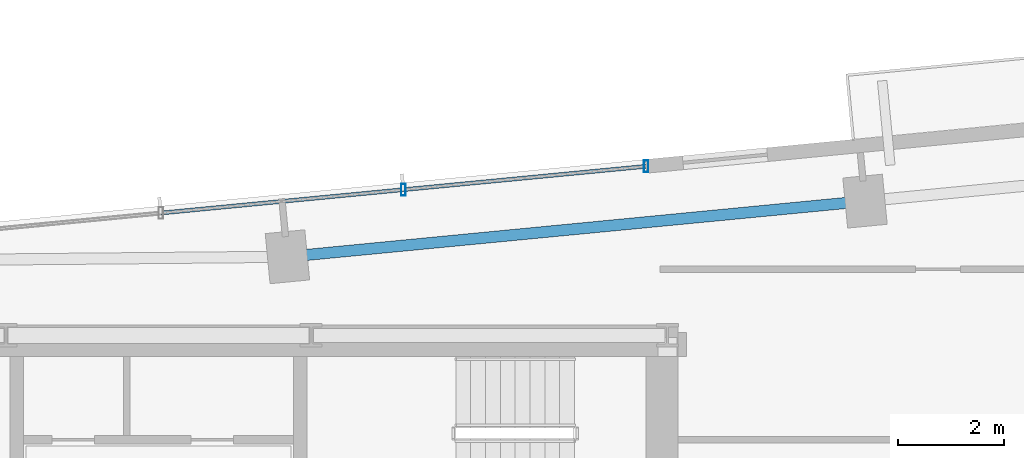
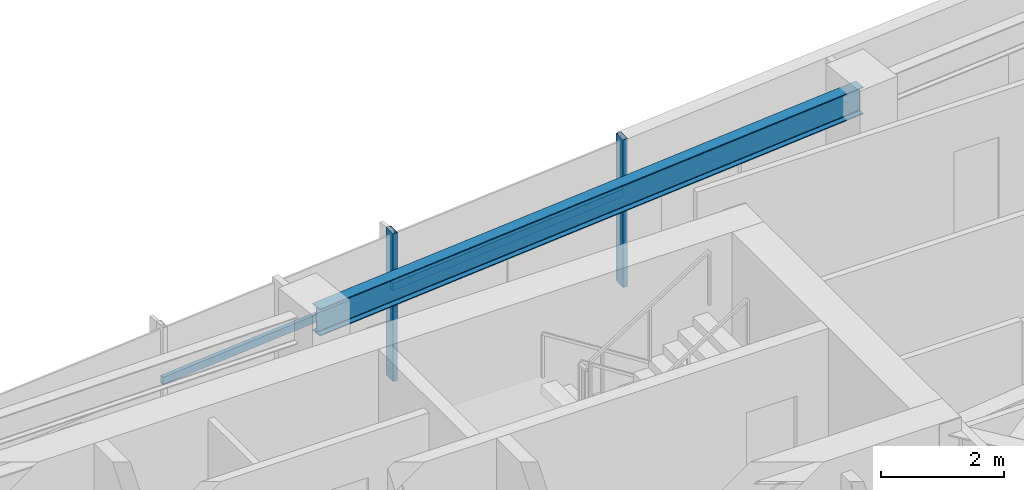
# One storey, part 7 of 18: 4 members, 1 beam, 1 element without a shape of its own.
"""IFC4 building model written with IfcOpenShell, lengths in metres."""

from ifc_helpers import new_model, si_unit, direction, frame, origin, origin_2d, place, context, subcontext, project, spatial, hollow_rectangle, i_section, extrude, source, transform, mapped, material, material_profile, profile_set, type_object, type_shapes, element, aggregate, save


model = new_model("IFC4")

# Units and contexts
model_context = context("Model", 3, precision=1e-05, world=origin(), true_north=direction((0.0, 1.0)))
body_context = subcontext(model_context, "Body", "Model", "MODEL_VIEW")
ifc_project = project(units=[si_unit("LENGTHUNIT", "METRE"), si_unit("AREAUNIT", "SQUARE_METRE"), si_unit("VOLUMEUNIT", "CUBIC_METRE"), si_unit("PLANEANGLEUNIT", "RADIAN"), si_unit("MASSUNIT", "GRAM", prefix="KILO")], contexts=[model_context])

# Site, building, storey
site_placement = place(None, origin())
site = spatial("IfcSite", under=ifc_project, at=site_placement, CompositionType="ELEMENT")
building_placement = place(site_placement, origin())
building = spatial("IfcBuilding", under=site, at=building_placement, Name="Astriad Promenade Condominiums", CompositionType="ELEMENT")
storey_placement = place(building_placement, frame((0.0, 0.0, 182.60009765625)))
storey = spatial("IfcBuildingStorey", under=building, at=storey_placement, Name="L52", CompositionType="ELEMENT", Elevation=182.60009765625)

# Beam
ifc_material_1 = material(Name="Steel ASTM A992 Grade 50", Category="steel")
ifc_material_profile_1 = material_profile(ifc_material_1, i_section(OverallWidth=0.210693359375, OverallDepth=0.53955078125, WebThickness=0.01171875, FlangeThickness=0.018798828125, FilletRadius=0.0166015625, at=origin_2d()), Name="W21X73")
ifc_profile_set_1 = profile_set([ifc_material_profile_1], Name="Steel ASTM A992 Grade 50")
beam_type = type_object("IfcBeamType", Name="STEEL SPANDREL BEAM W21X73", PredefinedType="SPANDREL", material=ifc_profile_set_1)
shared_shape_1 = source(origin(), body_context, "Body", "SweptSolid", [
    extrude(i_section(OverallWidth=0.210693359375, OverallDepth=0.53955078125, WebThickness=0.01171875, FlangeThickness=0.018798828125, FilletRadius=0.0166015625, at=origin_2d()), origin(), (0.0, 0.0, 1.0), 10.869873046875),
])
type_shapes(beam_type, [shared_shape_1])
beam_placement = place(storey_placement, frame((49.291015625, 26.52880859375, 2.670166015625), z_axis=(-0.995394779798, -0.09586048378, 0.0), x_axis=(0.09586048378, -0.995394779798, 0.0)))
element("IfcBeam", 1, at=beam_placement, inside=storey, type_object=beam_type, Name="Perimeter Spandrel Beam SP-N3-L52", PredefinedType="SPANDREL", context=body_context, shape_type="MappedRepresentation", body=[
    mapped(shared_shape_1, transform((0.0, 0.0, 0.0), scale=1.0)),
])

# Curtain wall, members
ifc_material_2 = material(Name="Anodised aluminium Black Dark Glass Unitised", Category="aluminium")
curtain_wall_type = type_object("IfcCurtainWallType", Name="CW-B34-DARK", PredefinedType="USERDEFINED", material=ifc_material_2)
curtain_wall_placement = place(storey_placement, origin())
curtain_wall = element("IfcCurtainWall", 2, at=curtain_wall_placement, inside=storey, type_object=curtain_wall_type, Name="CW-L52-N", ObjectType="UNITISED_CURTAIN_WALL", PredefinedType="USERDEFINED")
ifc_material_3 = material(Name="Anodised aluminium 6063-T6 Black", Category="aluminium")
ifc_material_profile_2 = material_profile(ifc_material_3, hollow_rectangle(XDim=0.0849609375, YDim=0.219970703125, WallThickness=0.0048828125, at=origin_2d()), Name="ALU-MUL-85X220")
ifc_profile_set_2 = profile_set([ifc_material_profile_2], Name="Anodised aluminium 6063-T6 Black")
member_type_1 = type_object("IfcMemberType", Name="MUL-ALU-MUL-85X220", PredefinedType="MULLION", material=ifc_profile_set_2)
shared_shape_2 = source(origin(), body_context, "Body", "SweptSolid", [
    extrude(hollow_rectangle(XDim=0.0849609375, YDim=0.219970703125, WallThickness=0.0048828125, at=origin_2d()), origin(), (0.0, 0.0, 1.0), 2.93994140625),
])
type_shapes(member_type_1, [shared_shape_2])
member_1_placement = place(storey_placement, frame((40.6201171875, 26.748779296875, 0.0), z_axis=(0.0, 0.0, 1.0), x_axis=(1.0, 0.0, 0.0)))
member_1 = element("IfcMember", 3, at=member_1_placement, type_object=member_type_1, Name="CW-L52-N-MUL-02", PredefinedType="MULLION", context=body_context, shape_type="MappedRepresentation", body=[
    mapped(shared_shape_2, transform((0.0, 0.0, 0.0), scale=1.0)),
])
member_2_placement = place(storey_placement, frame((45.198974609375, 27.189697265625, 0.0), z_axis=(0.0, 0.0, 1.0), x_axis=(1.0, 0.0, 0.0)))
member_2 = element("IfcMember", 4, at=member_2_placement, type_object=member_type_1, Name="CW-L52-N-MUL-03", PredefinedType="MULLION", context=body_context, shape_type="MappedRepresentation", body=[
    mapped(shared_shape_2, transform((0.0, 0.0, 0.0), scale=1.0)),
])
ifc_material_profile_3 = material_profile(ifc_material_3, hollow_rectangle(XDim=0.074951171875, YDim=0.14990234375, WallThickness=0.004150390625, at=origin_2d()), Name="ALU-TRN-75X150")
ifc_profile_set_3 = profile_set([ifc_material_profile_3], Name="Anodised aluminium 6063-T6 Black")
member_type_2 = type_object("IfcMemberType", Name="TRN-ALU-TRN-75X150", PredefinedType="USERDEFINED", material=ifc_profile_set_3)
shared_shape_3 = source(origin(), body_context, "Body", "SweptSolid", [
    extrude(hollow_rectangle(XDim=0.074951171875, YDim=0.14990234375, WallThickness=0.004150390625, at=origin_2d()), origin(), (0.0, 0.0, 1.0), 4.60009765625),
])
type_shapes(member_type_2, [shared_shape_3])
member_3_placement = place(storey_placement, frame((36.041259765625, 26.307861328125, 1.82275390625), z_axis=(0.995395697572, 0.095850953336, 0.0), x_axis=(-0.095850953336, 0.995395697572, 0.0)))
member_3 = element("IfcMember", 5, at=member_3_placement, type_object=member_type_2, Name="CW-L52-N-TRN-01-0", ObjectType="TRANSOM", PredefinedType="USERDEFINED", context=body_context, shape_type="MappedRepresentation", body=[
    mapped(shared_shape_3, transform((0.0, 0.0, 0.0), scale=1.0)),
])
member_4_placement = place(storey_placement, frame((40.6201171875, 26.748779296875, 1.82275390625), z_axis=(0.995395697572, 0.095850953336, 0.0), x_axis=(-0.095850953336, 0.995395697572, 0.0)))
member_4 = element("IfcMember", 6, at=member_4_placement, type_object=member_type_2, Name="CW-L52-N-TRN-02-0", ObjectType="TRANSOM", PredefinedType="USERDEFINED", context=body_context, shape_type="MappedRepresentation", body=[
    mapped(shared_shape_3, transform((0.0, 0.0, 0.0), scale=1.0)),
])
aggregate(curtain_wall, [member_1, member_2, member_3, member_4])

save(model, "model.ifc")
